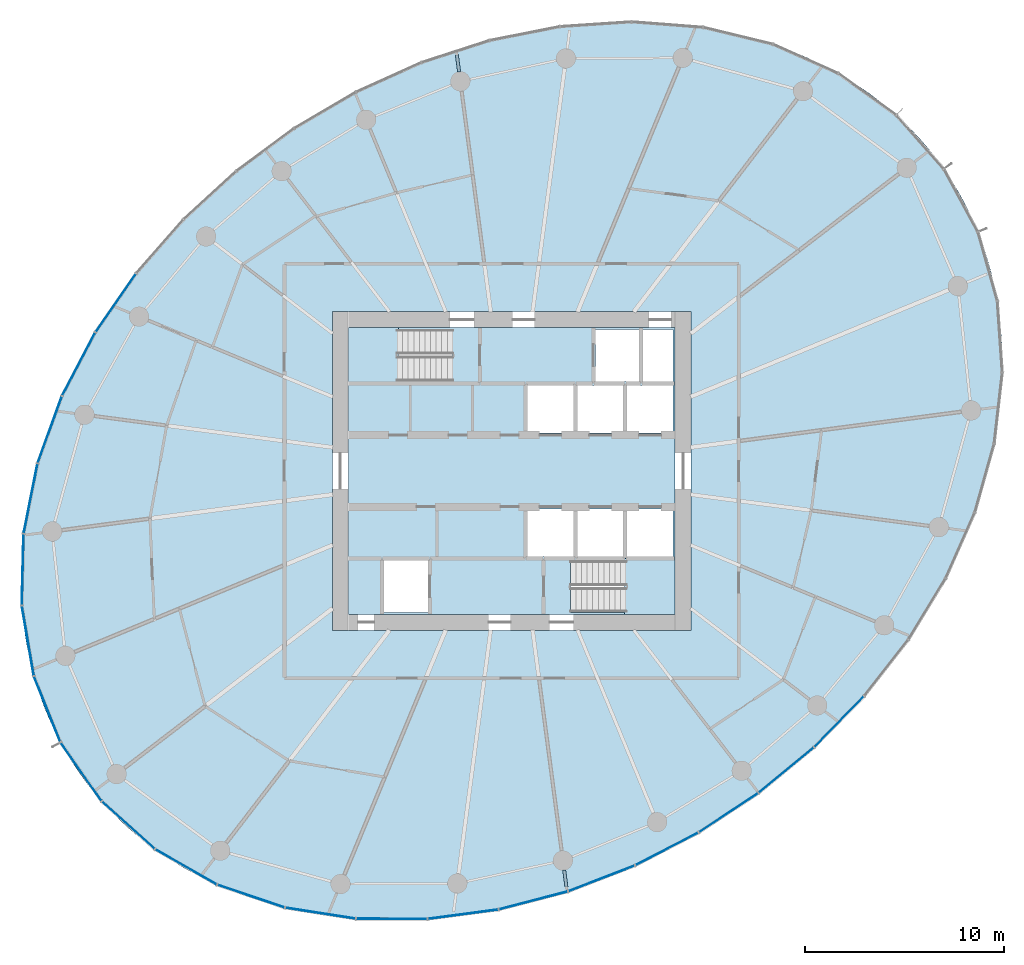
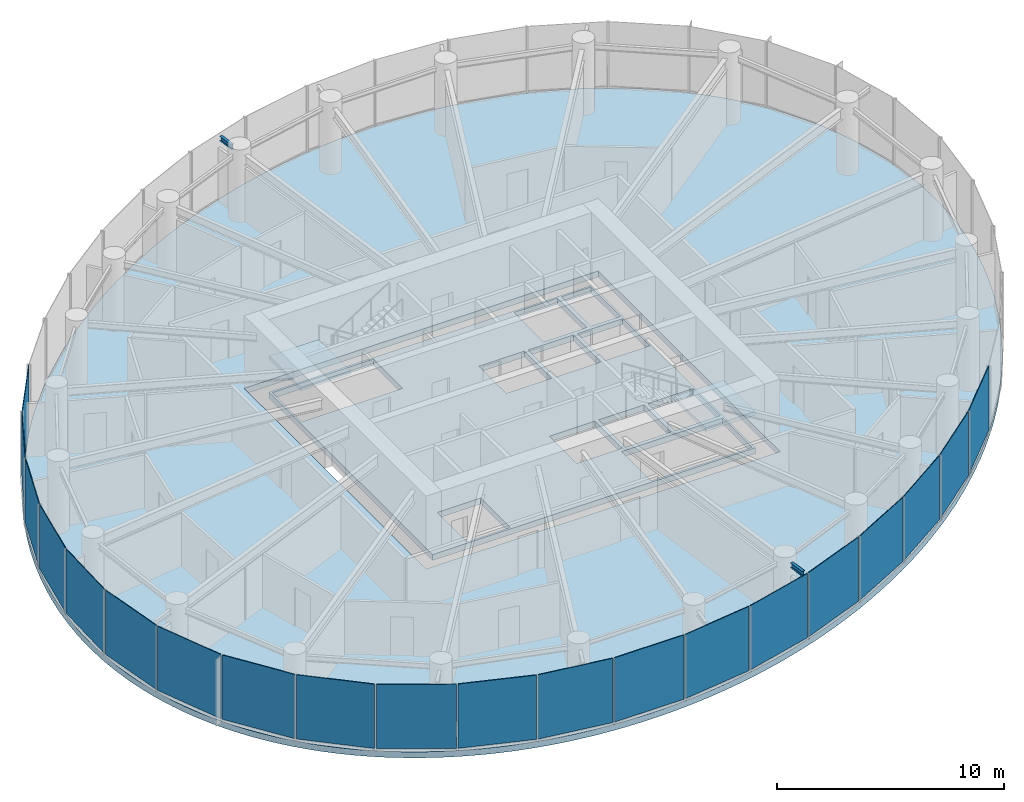
# One storey, part 7 of 15: 20 plates, 4 slabs, 2 beams, 6 elements without a shape of their own.
"""IFC4 building model written with IfcOpenShell, lengths in metres."""

from ifc_helpers import new_model, si_unit, direction, frame, origin, origin_2d, place, context, subcontext, project, spatial, line, indexed_curve, rectangle, i_section, outline, extrude, source, transform, mapped, material, layer, layer_set, material_profile, profile_set, type_object, element, aggregate, save


model = new_model("IFC4")

# Units and contexts
model_context = context("Model", 3, precision=1e-05, world=origin(), true_north=direction((0.0, 1.0)))
body_context = subcontext(model_context, "Body", "Model", "MODEL_VIEW")
ifc_project = project(units=[si_unit("LENGTHUNIT", "METRE"), si_unit("AREAUNIT", "SQUARE_METRE"), si_unit("VOLUMEUNIT", "CUBIC_METRE"), si_unit("PLANEANGLEUNIT", "RADIAN"), si_unit("MASSUNIT", "GRAM", prefix="KILO")], contexts=[model_context])

# Site, building, storey
site_placement = place(None, origin())
site = spatial("IfcSite", under=ifc_project, at=site_placement, CompositionType="ELEMENT")
building_placement = place(site_placement, origin())
building = spatial("IfcBuilding", under=site, at=building_placement, Name="Spindrift Exchange Tower", CompositionType="ELEMENT")
storey_placement = place(building_placement, frame((0.0, 0.0, 172.10009765625)))
storey = spatial("IfcBuildingStorey", under=building, at=storey_placement, Name="L41", CompositionType="ELEMENT", Elevation=172.10009765625)

# Beams
ifc_material_1 = material(Name="Steel Grade 300", Category="steel")
ifc_material_profile = material_profile(ifc_material_1, i_section(OverallWidth=0.14599609375, OverallDepth=0.251953125, WebThickness=0.006103515625, FlangeThickness=0.008544921875, FilletRadius=0.011962890625, at=origin_2d()), Name="250UB31.4")
ifc_profile_set = profile_set([ifc_material_profile], Name="Steel Grade 300")
beam_type = type_object("IfcBeamType", Name="Cantilever Beam 250UB31.4 Steel Grade 300", PredefinedType="BEAM", material=ifc_profile_set)
shared_shape_1 = source(origin(), body_context, "Body", "SweptSolid", [
    extrude(i_section(OverallWidth=0.14599609375, OverallDepth=0.251953125, WebThickness=0.006103515625, FlangeThickness=0.008544921875, FilletRadius=0.011962890625, at=origin_2d()), origin(), (0.0, 0.0, 1.0), 0.859619140625),
])
for number, where, z_axis, x_axis, name in (
    (1, (49.36328125, 68.027099609375, 3.453857421875), (-0.130359005339, 0.991466857604, 0.0), (-0.991466857604, -0.130359005339, 0.0), "L41 cantilever beam R07T"),
    (2, (54.63671875, 27.972900390625, 3.453857421875), (0.130359005339, -0.991466857604, 0.0), (0.991466857604, 0.130359005339, 0.0), "L41 cantilever beam R19T"),
):
    element("IfcBeam", number, at=place(storey_placement, frame(where, z_axis=z_axis, x_axis=x_axis)), inside=storey, type_object=beam_type, Name=name, PredefinedType="BEAM", context=body_context, shape_type="MappedRepresentation", body=[
        mapped(shared_shape_1, transform((0.0, 0.0, 0.0), scale=1.0)),
    ])

# Slabs
ifc_material_2 = material(Name="Concrete 40 MPa", Category="concrete")
ifc_layer_1 = layer(ifc_material_2, 0.320068359375)
ifc_layer_set_1 = layer_set([ifc_layer_1], Name="RC Floor Slab 320 Concrete 40 MPa")
slab_type_1 = type_object("IfcSlabType", Name="RC Floor Slab 320 Concrete 40 MPa", PredefinedType="FLOOR", material=ifc_layer_set_1)
slab_1_placement = place(storey_placement, frame((0.0, 0.0, -0.320068359375)))
element("IfcSlab", 3, at=slab_1_placement, inside=storey, type_object=slab_type_1, Name="Floor slab L41", PredefinedType="FLOOR", context=body_context, shape_type="SweptSolid", body=[
    extrude(outline(indexed_curve([(73.689697265625, 63.158203125), (73.4501953125, 63.491455078125), (73.2021484375, 63.818359375), (72.945556640625, 64.138427734375), (72.680908203125, 64.451904296875), (72.407958984375, 64.75830078125), (72.127197265625, 65.0576171875), (71.8388671875, 65.349365234375), (71.543212890625, 65.6337890625), (71.240234375, 65.910400390625), (70.930419921875, 66.179443359375), (70.614013671875, 66.4404296875), (70.291015625, 66.693603515625), (69.9619140625, 66.938720703125), (69.627197265625, 67.175537109375), (69.286376953125, 67.404296875), (68.58935546875, 67.8369140625), (68.2333984375, 68.041015625), (67.507568359375, 68.423583984375), (66.765380859375, 68.7734375), (66.388427734375, 68.935791015625), (65.624755859375, 69.23583984375), (64.84912109375, 69.50341796875), (64.45751953125, 69.625244140625), (63.666748046875, 69.844970703125), (62.8681640625, 70.033203125), (62.46630859375, 70.11572265625), (61.658203125, 70.25830078125), (60.845458984375, 70.37109375), (60.437744140625, 70.41650390625), (60.029296875, 70.454833984375), (59.210693359375, 70.510498046875), (58.390380859375, 70.5380859375), (57.980224609375, 70.5419921875), (57.159912109375, 70.529541015625), (56.749755859375, 70.513671875), (56.340087890625, 70.4912109375), (55.52197265625, 70.427734375), (54.706298828125, 70.339599609375), (54.29931640625, 70.286376953125), (53.893310546875, 70.227294921875), (53.083984375, 70.091796875), (52.279052734375, 69.933349609375), (51.878173828125, 69.845703125), (51.080322265625, 69.654052734375), (50.683349609375, 69.55029296875), (50.287841796875, 69.44091796875), (49.50146484375, 69.206787109375), (49.110595703125, 69.082275390625), (48.333740234375, 68.817626953125), (47.564208984375, 68.533203125), (47.18212890625, 68.3837890625), (46.802001953125, 68.2294921875), (46.047607421875, 67.906494140625), (45.67333984375, 67.73828125), (44.931396484375, 67.3876953125), (43.835205078125, 66.828125), (42.760009765625, 66.229248046875), (41.706787109375, 65.592041015625), (41.017822265625, 65.146240234375), (40.33984375, 64.684326171875), (39.34375, 63.961181640625), (38.6943359375, 63.459716796875), (38.05712890625, 62.942626953125), (37.125, 62.138916015625), (36.222900390625, 61.301513671875), (35.35205078125, 60.431884765625), (34.78955078125, 59.834228515625), (34.51416015625, 59.5302734375), (33.974609375, 58.912109375), (33.710693359375, 58.597900390625), (33.450927734375, 58.2802734375), (32.94384765625, 57.63525390625), (32.696533203125, 57.307861328125), (32.215087890625, 56.643310546875), (31.751708984375, 55.966064453125), (31.527099609375, 55.622802734375), (31.091796875, 54.92724609375), (30.881591796875, 54.574951171875), (30.67626953125, 54.2197265625), (30.281005859375, 53.50048828125), (30.09130859375, 53.13671875), (29.72802734375, 52.40087890625), (29.38720703125, 51.654541015625), (29.225341796875, 51.277587890625), (28.919677734375, 50.51611328125), (28.77587890625, 50.1318359375), (28.50732421875, 49.3564453125), (28.3828125, 48.965576171875), (28.1533203125, 48.177734375), (28.049072265625, 47.781005859375), (27.951416015625, 47.38232421875), (27.778076171875, 46.580322265625), (27.63427734375, 45.772705078125), (27.57373046875, 45.36669921875), (27.47607421875, 44.552001953125), (27.410400390625, 43.734130859375), (27.39013671875, 43.324462890625), (27.375, 42.50390625), (27.394287109375, 41.683837890625), (27.417236328125, 41.274169921875), (27.490478515625, 40.456787109375), (27.6005859375, 39.643798828125), (27.669677734375, 39.239501953125), (27.83642578125, 38.43603515625), (27.93408203125, 38.03759765625), (28.158447265625, 37.248291015625), (28.28515625, 36.858154296875), (28.421630859375, 36.47119140625), (28.567626953125, 36.087646484375), (28.723388671875, 35.708251953125), (28.888916015625, 35.332763671875), (29.06396484375, 34.961669921875), (29.248291015625, 34.59521484375), (29.4423828125, 34.233642578125), (29.645751953125, 33.877197265625), (29.858154296875, 33.5263671875), (30.079833984375, 33.18115234375), (30.310302734375, 32.841796875), (30.5498046875, 32.508544921875), (30.7978515625, 32.181640625), (31.054443359375, 31.861572265625), (31.319091796875, 31.548095703125), (31.592041015625, 31.24169921875), (31.872802734375, 30.9423828125), (32.1611328125, 30.650634765625), (32.456787109375, 30.3662109375), (32.759765625, 30.089599609375), (33.069580078125, 29.820556640625), (33.385986328125, 29.5595703125), (33.708984375, 29.306396484375), (34.0380859375, 29.061279296875), (34.372802734375, 28.824462890625), (34.713623046875, 28.595703125), (35.41064453125, 28.1630859375), (35.7666015625, 27.958984375), (36.492431640625, 27.576416015625), (37.234619140625, 27.2265625), (37.611572265625, 27.064208984375), (38.375244140625, 26.76416015625), (39.15087890625, 26.49658203125), (39.54248046875, 26.374755859375), (40.333251953125, 26.155029296875), (41.1318359375, 25.966796875), (41.53369140625, 25.88427734375), (42.341796875, 25.74169921875), (43.154541015625, 25.62890625), (43.562255859375, 25.58349609375), (43.970703125, 25.545166015625), (44.789306640625, 25.489501953125), (45.609619140625, 25.4619140625), (46.019775390625, 25.4580078125), (46.840087890625, 25.470458984375), (47.250244140625, 25.486328125), (47.659912109375, 25.5087890625), (48.47802734375, 25.572265625), (49.293701171875, 25.660400390625), (49.70068359375, 25.713623046875), (50.106689453125, 25.772705078125), (50.916015625, 25.908203125), (51.720947265625, 26.066650390625), (52.121826171875, 26.154296875), (52.919677734375, 26.345947265625), (53.316650390625, 26.44970703125), (53.712158203125, 26.55908203125), (54.49853515625, 26.793212890625), (54.889404296875, 26.917724609375), (55.666259765625, 27.182373046875), (56.435791015625, 27.466796875), (56.81787109375, 27.6162109375), (57.197998046875, 27.7705078125), (57.952392578125, 28.093505859375), (58.32666015625, 28.26171875), (59.068603515625, 28.6123046875), (60.164794921875, 29.171875), (61.239990234375, 29.770751953125), (62.293212890625, 30.407958984375), (62.982177734375, 30.853759765625), (63.66015625, 31.315673828125), (64.65625, 32.038818359375), (65.3056640625, 32.540283203125), (65.94287109375, 33.057373046875), (66.875, 33.861083984375), (67.777099609375, 34.698486328125), (68.64794921875, 35.568115234375), (69.21044921875, 36.165771484375), (69.48583984375, 36.4697265625), (70.025390625, 37.087890625), (70.289306640625, 37.402099609375), (70.549072265625, 37.7197265625), (71.05615234375, 38.36474609375), (71.303466796875, 38.692138671875), (71.784912109375, 39.356689453125), (72.248291015625, 40.033935546875), (72.472900390625, 40.377197265625), (72.908203125, 41.07275390625), (73.118408203125, 41.425048828125), (73.32373046875, 41.7802734375), (73.718994140625, 42.49951171875), (73.90869140625, 42.86328125), (74.27197265625, 43.59912109375), (74.61279296875, 44.345458984375), (74.774658203125, 44.722412109375), (75.080322265625, 45.48388671875), (75.22412109375, 45.8681640625), (75.49267578125, 46.6435546875), (75.6171875, 47.034423828125), (75.8466796875, 47.822265625), (75.950927734375, 48.218994140625), (76.048583984375, 48.61767578125), (76.221923828125, 49.419677734375), (76.36572265625, 50.227294921875), (76.42626953125, 50.63330078125), (76.52392578125, 51.447998046875), (76.589599609375, 52.265869140625), (76.60986328125, 52.675537109375), (76.625, 53.49609375), (76.605712890625, 54.316162109375), (76.582763671875, 54.725830078125), (76.509521484375, 55.543212890625), (76.3994140625, 56.356201171875), (76.330322265625, 56.760498046875), (76.16357421875, 57.56396484375), (76.06591796875, 57.96240234375), (75.841552734375, 58.751708984375), (75.71484375, 59.141845703125), (75.578369140625, 59.52880859375), (75.432373046875, 59.912353515625), (75.276611328125, 60.291748046875), (75.111083984375, 60.667236328125), (74.93603515625, 61.038330078125), (74.751708984375, 61.40478515625), (74.5576171875, 61.766357421875), (74.354248046875, 62.122802734375), (74.141845703125, 62.4736328125), (73.920166015625, 62.81884765625)], segments=[line(1, 2, 3, 4, 5, 6, 7, 8, 9, 10, 11, 12, 13, 14, 15, 16, 17, 18, 19, 20, 21, 22, 23, 24, 25, 26, 27, 28, 29, 30, 31, 32, 33, 34, 35, 36, 37, 38, 39, 40, 41, 42, 43, 44, 45, 46, 47, 48, 49, 50, 51, 52, 53, 54, 55, 56, 57, 58, 59, 60, 61, 62, 63, 64, 65, 66, 67, 68, 69, 70, 71, 72, 73, 74, 75, 76, 77, 78, 79, 80, 81, 82, 83, 84, 85, 86, 87, 88, 89, 90, 91, 92, 93, 94, 95, 96, 97, 98, 99, 100, 101, 102, 103, 104, 105, 106, 107, 108, 109, 110, 111, 112, 113, 114, 115, 116, 117, 118, 119, 120, 121, 122, 123, 124, 125, 126, 127, 128, 129, 130, 131, 132, 133, 134, 135, 136, 137, 138, 139, 140, 141, 142, 143, 144, 145, 146, 147, 148, 149, 150, 151, 152, 153, 154, 155, 156, 157, 158, 159, 160, 161, 162, 163, 164, 165, 166, 167, 168, 169, 170, 171, 172, 173, 174, 175, 176, 177, 178, 179, 180, 181, 182, 183, 184, 185, 186, 187, 188, 189, 190, 191, 192, 193, 194, 195, 196, 197, 198, 199, 200, 201, 202, 203, 204, 205, 206, 207, 208, 209, 210, 211, 212, 213, 214, 215, 216, 217, 218, 219, 220, 221, 222, 223, 224, 225, 226, 227, 228, 229, 230, 231, 232, 233, 234, 235, 236, 1)], self_intersect=False), holes=[indexed_curve([(43.0, 40.0), (61.0, 40.0), (61.0, 56.0), (43.0, 56.0)], segments=[line(1, 2, 3, 4, 1)], self_intersect=False)]), origin(), (0.0, 0.0, 1.0), 0.320068359375),
])
ifc_material_3 = material(Name="Concrete 50 MPa", Category="concrete")
ifc_layer_2 = layer(ifc_material_3, 0.320068359375)
ifc_layer_set_2 = layer_set([ifc_layer_2], Name="SL-CORE-FLOOR-320")
slab_type_2 = type_object("IfcSlabType", Name="SL-CORE-FLOOR-320", PredefinedType="FLOOR", material=ifc_layer_set_2)
slab_2_placement = place(storey_placement, frame((0.0, 0.0, -0.320068359375)))
element("IfcSlab", 4, at=slab_2_placement, inside=storey, type_object=slab_type_2, Name="L41 Core floor slab", PredefinedType="FLOOR", context=body_context, shape_type="SweptSolid", body=[
    extrude(outline(indexed_curve([(43.800048828125, 40.800048828125), (43.800048828125, 55.199951171875), (60.199951171875, 55.199951171875), (60.199951171875, 40.800048828125)], segments=[line(1, 2, 3, 4, 1)], self_intersect=False), holes=[indexed_curve([(45.60009765625, 43.5), (45.60009765625, 40.89990234375), (47.800048828125, 40.89990234375), (47.800048828125, 43.5)], segments=[line(1, 2, 3, 4, 1)], self_intersect=False), indexed_curve([(52.800048828125, 46.10009765625), (52.800048828125, 43.699951171875), (55.10009765625, 43.699951171875), (55.10009765625, 46.10009765625)], segments=[line(1, 2, 3, 4, 1)], self_intersect=False), indexed_curve([(55.300048828125, 46.10009765625), (55.300048828125, 43.699951171875), (57.60009765625, 43.699951171875), (57.60009765625, 46.10009765625)], segments=[line(1, 2, 3, 4, 1)], self_intersect=False), indexed_curve([(55.10009765625, 52.300048828125), (52.800048828125, 52.300048828125), (52.800048828125, 49.89990234375), (55.10009765625, 49.89990234375)], segments=[line(1, 2, 3, 4, 1)], self_intersect=False), indexed_curve([(57.60009765625, 52.300048828125), (55.300048828125, 52.300048828125), (55.300048828125, 49.89990234375), (57.60009765625, 49.89990234375)], segments=[line(1, 2, 3, 4, 1)], self_intersect=False), indexed_curve([(43.906005859375, 52.506103515625), (49.0439453125, 52.506103515625), (49.0439453125, 55.093994140625), (43.906005859375, 55.093994140625)], segments=[line(1, 2, 3, 4, 1)], self_intersect=False), indexed_curve([(60.093994140625, 40.906005859375), (60.093994140625, 43.493896484375), (54.9560546875, 43.493896484375), (54.9560546875, 40.906005859375)], segments=[line(1, 2, 3, 4, 1)], self_intersect=False), indexed_curve([(60.10009765625, 46.10009765625), (57.800048828125, 46.10009765625), (57.800048828125, 43.699951171875), (60.10009765625, 43.699951171875)], segments=[line(1, 2, 3, 4, 1)], self_intersect=False), indexed_curve([(57.800048828125, 52.300048828125), (57.800048828125, 49.89990234375), (60.10009765625, 49.89990234375), (60.10009765625, 52.300048828125)], segments=[line(1, 2, 3, 4, 1)], self_intersect=False), indexed_curve([(58.39990234375, 55.10009765625), (56.199951171875, 55.10009765625), (56.199951171875, 52.5), (58.39990234375, 52.5)], segments=[line(1, 2, 3, 4, 1)], self_intersect=False), indexed_curve([(60.10009765625, 55.10009765625), (58.60009765625, 55.10009765625), (58.60009765625, 52.5), (60.10009765625, 52.5)], segments=[line(1, 2, 3, 4, 1)], self_intersect=False)]), origin(), (0.0, 0.0, 1.0), 0.320068359375),
])

# Stair, slab
stair_type = type_object("IfcStairType", Name="ST-1250-R177", PredefinedType="HALF_TURN_STAIR", material=ifc_material_3)
stair_1_placement = place(storey_placement, origin())
stair_1 = element("IfcStair", 5, at=stair_1_placement, inside=storey, type_object=stair_type, Name="L41 Exit stair ST1", PredefinedType="HALF_TURN_STAIR")
ifc_layer_3 = layer(ifc_material_3, 0.199951171875)
ifc_layer_set_3 = layer_set([ifc_layer_3], Name="SL-LANDING")
slab_type_3 = type_object("IfcSlabType", Name="SL-LANDING", PredefinedType="LANDING", material=ifc_layer_set_3)
slab_3_placement = place(storey_placement, frame((0.0, 0.0, 1.75)))
slab_3 = element("IfcSlab", 6, at=slab_3_placement, type_object=slab_type_3, Name="ST1 landing 1", PredefinedType="LANDING", context=body_context, shape_type="SweptSolid", body=[
    extrude(outline(indexed_curve([(46.330078125, 52.39990234375), (43.800048828125, 52.39990234375), (43.800048828125, 55.199951171875), (46.330078125, 55.199951171875)], segments=[line(1, 2, 3, 4, 1)], self_intersect=False)), origin(), (0.0, 0.0, 1.0), 0.199951171875),
])
aggregate(stair_1, [slab_3])

stair_2_placement = place(storey_placement, origin())
stair_2 = element("IfcStair", 7, at=stair_2_placement, inside=storey, type_object=stair_type, Name="L41 Exit stair ST2", PredefinedType="HALF_TURN_STAIR")
slab_4_placement = place(storey_placement, frame((0.0, 0.0, 1.75)))
slab_4 = element("IfcSlab", 8, at=slab_4_placement, type_object=slab_type_3, Name="ST2 landing 1", PredefinedType="LANDING", context=body_context, shape_type="SweptSolid", body=[
    extrude(outline(indexed_curve([(57.669921875, 43.60009765625), (60.199951171875, 43.60009765625), (60.199951171875, 40.800048828125), (57.669921875, 40.800048828125)], segments=[line(1, 2, 3, 4, 1)], self_intersect=False)), origin(), (0.0, 0.0, 1.0), 0.199951171875),
])
aggregate(stair_2, [slab_4])

# Curtain wall, plate
ifc_material_4 = material(Name="Fritted laminated glass with bronze frame", Category="glass")
ifc_layer_4 = layer(ifc_material_4, 0.179931640625)
ifc_layer_set_4 = layer_set([ifc_layer_4], Name="ZONE 3 BRONZE FRITTED WALL")
curtain_wall_type = type_object("IfcCurtainWallType", Name="ZONE 3 BRONZE FRITTED WALL", PredefinedType="NOTDEFINED", material=ifc_layer_set_4)
curtain_wall_1_placement = place(storey_placement, origin())
curtain_wall_1 = element("IfcCurtainWall", 9, at=curtain_wall_1_placement, inside=storey, type_object=curtain_wall_type, Name="L41 Zone 3 Bronze Fritted Wall run 3", PredefinedType="NOTDEFINED")
ifc_material_5 = material(Name="Bronze fritted laminated glass, open frit", Category="glass")
ifc_layer_5 = layer(ifc_material_5, 0.031982421875)
ifc_layer_set_5 = layer_set([ifc_layer_5], Name="ZONE 3 BRONZE FRITTED WALL PANEL OPEN FRIT 360")
plate_type_1 = type_object("IfcPlateType", Name="ZONE 3 BRONZE FRITTED WALL PANEL OPEN FRIT 360", PredefinedType="CURTAIN_PANEL", material=ifc_layer_set_5)
shared_shape_2 = source(origin(), body_context, "Body", "SweptSolid", [
    extrude(rectangle(XDim=3.530517578125, YDim=0.031982421875, at=origin_2d()), origin(), (0.0, 0.0, 1.0), 3.449951171875),
])
plate_1_placement = place(storey_placement, frame((32.1328125, 56.4326171875, 0.1298828125), z_axis=(0.0, 0.0, 1.0), x_axis=(-0.569595162107, -0.821925392785, 0.0)))
plate_1 = element("IfcPlate", 10, at=plate_1_placement, type_object=plate_type_1, Name="L41 panel CW-3.14", PredefinedType="CURTAIN_PANEL", context=body_context, shape_type="MappedRepresentation", body=[
    mapped(shared_shape_2, transform((0.0, 0.0, 0.0), scale=1.0)),
])

curtain_wall_2_placement = place(storey_placement, origin())
curtain_wall_2 = element("IfcCurtainWall", 11, at=curtain_wall_2_placement, inside=storey, type_object=curtain_wall_type, Name="L41 Zone 3 Bronze Fritted Wall run 5", PredefinedType="NOTDEFINED")
plate_2_placement = place(storey_placement, frame((53.090576171875, 26.44482421875, 0.1298828125), z_axis=(0.0, 0.0, 1.0), x_axis=(0.96762684941, 0.252385182412, 0.0)))
plate_2 = element("IfcPlate", 12, at=plate_2_placement, type_object=plate_type_1, Name="L41 panel CW-3.28", PredefinedType="CURTAIN_PANEL", context=body_context, shape_type="MappedRepresentation", body=[
    mapped(shared_shape_2, transform((0.0, 0.0, 0.0), scale=1.0)),
])

# Curtain wall, plates
curtain_wall_3_placement = place(storey_placement, origin())
curtain_wall_3 = element("IfcCurtainWall", 13, at=curtain_wall_3_placement, inside=storey, type_object=curtain_wall_type, Name="L41 Zone 3 Bronze Fritted Wall run 6", PredefinedType="NOTDEFINED")
ifc_layer_6 = layer(ifc_material_5, 0.031982421875)
ifc_layer_set_6 = layer_set([ifc_layer_6], Name="ZONE 3 BRONZE FRITTED WALL PANEL OPEN FRIT 600")
plate_type_2 = type_object("IfcPlateType", Name="ZONE 3 BRONZE FRITTED WALL PANEL OPEN FRIT 600", PredefinedType="CURTAIN_PANEL", material=ifc_layer_set_6)
shared_shape_3 = source(origin(), body_context, "Body", "SweptSolid", [
    extrude(rectangle(XDim=3.531005859375, YDim=0.031982421875, at=origin_2d()), origin(), (0.0, 0.0, 1.0), 3.449951171875),
])
plate_3_placement = place(storey_placement, frame((62.889404296875, 30.848876953125, 0.1298828125), z_axis=(0.0, 0.0, 1.0), x_axis=(0.834409487726, 0.55114499616, 0.0)))
plate_3 = element("IfcPlate", 14, at=plate_3_placement, type_object=plate_type_2, Name="L41 panel CW-3.31", PredefinedType="CURTAIN_PANEL", context=body_context, shape_type="MappedRepresentation", body=[
    mapped(shared_shape_3, transform((0.0, 0.0, 0.0), scale=1.0)),
])
shared_shape_4 = source(origin(), body_context, "Body", "SweptSolid", [
    extrude(rectangle(XDim=3.531005859375, YDim=0.031982421875, at=origin_2d()), origin(), (0.0, 0.0, 1.0), 3.449951171875),
])
plate_4_placement = place(storey_placement, frame((65.781494140625, 32.985595703125, 0.1298828125), z_axis=(0.0, 0.0, 1.0), x_axis=(0.77202741873, 0.635589226411, 0.0)))
plate_4 = element("IfcPlate", 15, at=plate_4_placement, type_object=plate_type_1, Name="L41 panel CW-3.32", PredefinedType="CURTAIN_PANEL", context=body_context, shape_type="MappedRepresentation", body=[
    mapped(shared_shape_4, transform((0.0, 0.0, 0.0), scale=1.0)),
])

# Plate
shared_shape_5 = source(origin(), body_context, "Body", "SweptSolid", [
    extrude(rectangle(XDim=3.530517578125, YDim=0.031982421875, at=origin_2d()), origin(), (0.0, 0.0, 1.0), 3.449951171875),
])
plate_5_placement = place(storey_placement, frame((56.51123046875, 27.54931640625, 0.1298828125), z_axis=(0.0, 0.0, 1.0), x_axis=(0.932504195084, 0.361159142417, 0.0)))
plate_5 = element("IfcPlate", 16, at=plate_5_placement, type_object=plate_type_2, Name="L41 panel CW-3.29", PredefinedType="CURTAIN_PANEL", context=body_context, shape_type="MappedRepresentation", body=[
    mapped(shared_shape_5, transform((0.0, 0.0, 0.0), scale=1.0)),
])

shared_shape_6 = source(origin(), body_context, "Body", "SweptSolid", [
    extrude(rectangle(XDim=3.530029296875, YDim=0.031982421875, at=origin_2d()), origin(), (0.0, 0.0, 1.0), 3.449951171875),
])
plate_6_placement = place(storey_placement, frame((49.564208984375, 25.75341796875, 0.1298828125), z_axis=(0.0, 0.0, 1.0), x_axis=(0.99129476744, 0.131661247323, 0.0)))
plate_6 = element("IfcPlate", 17, at=plate_6_placement, type_object=plate_type_1, Name="L41 panel CW-3.27", PredefinedType="CURTAIN_PANEL", context=body_context, shape_type="MappedRepresentation", body=[
    mapped(shared_shape_6, transform((0.0, 0.0, 0.0), scale=1.0)),
])

ifc_layer_7 = layer(ifc_material_5, 0.031982421875)
ifc_layer_set_7 = layer_set([ifc_layer_7], Name="ZONE 3 BRONZE FRITTED WALL PANEL OPEN FRIT 480")
plate_type_3 = type_object("IfcPlateType", Name="ZONE 3 BRONZE FRITTED WALL PANEL OPEN FRIT 480", PredefinedType="CURTAIN_PANEL", material=ifc_layer_set_7)
shared_shape_7 = source(origin(), body_context, "Body", "SweptSolid", [
    extrude(rectangle(XDim=3.529541015625, YDim=0.031982421875, at=origin_2d()), origin(), (0.0, 0.0, 1.0), 3.449951171875),
])
plate_7_placement = place(storey_placement, frame((28.822509765625, 50.072509765625, 0.1298828125), z_axis=(0.0, 0.0, 1.0), x_axis=(-0.34065852433, -0.940187092977, 0.0)))
plate_7 = element("IfcPlate", 18, at=plate_7_placement, type_object=plate_type_3, Name="L41 panel CW-3.16", PredefinedType="CURTAIN_PANEL", context=body_context, shape_type="MappedRepresentation", body=[
    mapped(shared_shape_7, transform((0.0, 0.0, 0.0), scale=1.0)),
])

shared_shape_8 = source(origin(), body_context, "Body", "SweptSolid", [
    extrude(rectangle(XDim=3.527587890625, YDim=0.031982421875, at=origin_2d()), origin(), (0.0, 0.0, 1.0), 3.449951171875),
])
plate_8_placement = place(storey_placement, frame((27.46337890625, 43.052490234375, 0.1298828125), z_axis=(0.0, 0.0, 1.0), x_axis=(-0.024850929978, -0.999691167951, 0.0)))
plate_8 = element("IfcPlate", 19, at=plate_8_placement, type_object=plate_type_1, Name="L41 panel CW-3.18", PredefinedType="CURTAIN_PANEL", context=body_context, shape_type="MappedRepresentation", body=[
    mapped(shared_shape_8, transform((0.0, 0.0, 0.0), scale=1.0)),
])

# Curtain wall, plates
curtain_wall_4_placement = place(storey_placement, origin())
curtain_wall_4 = element("IfcCurtainWall", 20, at=curtain_wall_4_placement, inside=storey, type_object=curtain_wall_type, Name="L41 Zone 3 Bronze Fritted Wall run 4", PredefinedType="NOTDEFINED")
shared_shape_9 = source(origin(), body_context, "Body", "SweptSolid", [
    extrude(rectangle(XDim=3.5263671875, YDim=0.031982421875, at=origin_2d()), origin(), (0.0, 0.0, 1.0), 3.449951171875),
])
plate_9_placement = place(storey_placement, frame((27.720703125, 39.4814453125, 0.1298828125), z_axis=(0.0, 0.0, 1.0), x_axis=(0.167892377849, -0.985805330408, 0.0)))
plate_9 = element("IfcPlate", 21, at=plate_9_placement, type_object=plate_type_2, Name="L41 panel CW-3.19", PredefinedType="CURTAIN_PANEL", context=body_context, shape_type="MappedRepresentation", body=[
    mapped(shared_shape_9, transform((0.0, 0.0, 0.0), scale=1.0)),
])
plate_10_placement = place(storey_placement, frame((35.655517578125, 28.12744140625, 0.1298828125), z_axis=(0.0, 0.0, 1.0), x_axis=(0.868049812848, -0.496477111672, 0.0)))
plate_10 = element("IfcPlate", 22, at=plate_10_placement, type_object=plate_type_2, Name="L41 panel CW-3.23", PredefinedType="CURTAIN_PANEL", context=body_context, shape_type="MappedRepresentation", body=[
    mapped(shared_shape_9, transform((0.0, 0.0, 0.0), scale=1.0)),
])
shared_shape_10 = source(origin(), body_context, "Body", "SweptSolid", [
    extrude(rectangle(XDim=3.527587890625, YDim=0.031982421875, at=origin_2d()), origin(), (0.0, 0.0, 1.0), 3.449951171875),
])
plate_11_placement = place(storey_placement, frame((38.92041015625, 26.65869140625, 0.1298828125), z_axis=(0.0, 0.0, 1.0), x_axis=(0.947323812064, -0.320277372127, 0.0)))
plate_11 = element("IfcPlate", 23, at=plate_11_placement, type_object=plate_type_2, Name="L41 panel CW-3.24", PredefinedType="CURTAIN_PANEL", context=body_context, shape_type="MappedRepresentation", body=[
    mapped(shared_shape_10, transform((0.0, 0.0, 0.0), scale=1.0)),
])

# Plate
shared_shape_11 = source(origin(), body_context, "Body", "SweptSolid", [
    extrude(rectangle(XDim=3.530029296875, YDim=0.031982421875, at=origin_2d()), origin(), (0.0, 0.0, 1.0), 3.449951171875),
])
plate_12_placement = place(storey_placement, frame((30.271484375, 53.358642578125, 0.1298828125), z_axis=(0.0, 0.0, 1.0), x_axis=(-0.464352113428, -0.885650673096, 0.0)))
plate_12 = element("IfcPlate", 24, at=plate_12_placement, type_object=plate_type_2, Name="L41 panel CW-3.15", PredefinedType="CURTAIN_PANEL", context=body_context, shape_type="MappedRepresentation", body=[
    mapped(shared_shape_11, transform((0.0, 0.0, 0.0), scale=1.0)),
])

shared_shape_12 = source(origin(), body_context, "Body", "SweptSolid", [
    extrude(rectangle(XDim=3.531005859375, YDim=0.031982421875, at=origin_2d()), origin(), (0.0, 0.0, 1.0), 3.449951171875),
])
plate_13_placement = place(storey_placement, frame((59.78857421875, 29.028076171875, 0.1298828125), z_axis=(0.0, 0.0, 1.0), x_axis=(0.887834661161, 0.460162595656, 0.0)))
plate_13 = element("IfcPlate", 25, at=plate_13_placement, type_object=plate_type_3, Name="L41 panel CW-3.30", PredefinedType="CURTAIN_PANEL", context=body_context, shape_type="MappedRepresentation", body=[
    mapped(shared_shape_12, transform((0.0, 0.0, 0.0), scale=1.0)),
])

shared_shape_13 = source(origin(), body_context, "Body", "SweptSolid", [
    extrude(rectangle(XDim=3.53076171875, YDim=0.031982421875, at=origin_2d()), origin(), (0.0, 0.0, 1.0), 3.449951171875),
])
plate_14_placement = place(storey_placement, frame((68.431640625, 35.415771484375, 0.1298828125), z_axis=(0.0, 0.0, 1.0), x_axis=(0.699877791276, 0.714262610865, 0.0)))
plate_14 = element("IfcPlate", 26, at=plate_14_placement, type_object=plate_type_3, Name="L41 panel CW-3.33", PredefinedType="CURTAIN_PANEL", context=body_context, shape_type="MappedRepresentation", body=[
    mapped(shared_shape_13, transform((0.0, 0.0, 0.0), scale=1.0)),
])

aggregate(curtain_wall_3, [plate_3, plate_4, plate_14])

shared_shape_14 = source(origin(), body_context, "Body", "SweptSolid", [
    extrude(rectangle(XDim=3.525146484375, YDim=0.031982421875, at=origin_2d()), origin(), (0.0, 0.0, 1.0), 3.449951171875),
])
plate_15_placement = place(storey_placement, frame((32.759765625, 30.22412109375, 0.1298828125), z_axis=(0.0, 0.0, 1.0), x_axis=(0.742685684381, -0.669640182647, 0.0)))
plate_15 = element("IfcPlate", 27, at=plate_15_placement, type_object=plate_type_3, Name="L41 panel CW-3.22", PredefinedType="CURTAIN_PANEL", context=body_context, shape_type="MappedRepresentation", body=[
    mapped(shared_shape_14, transform((0.0, 0.0, 0.0), scale=1.0)),
])

shared_shape_15 = source(origin(), body_context, "Body", "SweptSolid", [
    extrude(rectangle(XDim=3.525146484375, YDim=0.031982421875, at=origin_2d()), origin(), (0.0, 0.0, 1.0), 3.449951171875),
])
plate_16_placement = place(storey_placement, frame((28.694091796875, 36.04150390625, 0.1298828125), z_axis=(0.0, 0.0, 1.0), x_axis=(0.373590113187, -0.927593891382, 0.0)))
plate_16 = element("IfcPlate", 28, at=plate_16_placement, type_object=plate_type_1, Name="L41 panel CW-3.20", PredefinedType="CURTAIN_PANEL", context=body_context, shape_type="MappedRepresentation", body=[
    mapped(shared_shape_15, transform((0.0, 0.0, 0.0), scale=1.0)),
])

shared_shape_16 = source(origin(), body_context, "Body", "SweptSolid", [
    extrude(rectangle(XDim=3.524658203125, YDim=0.031982421875, at=origin_2d()), origin(), (0.0, 0.0, 1.0), 3.449951171875),
])
plate_17_placement = place(storey_placement, frame((30.395263671875, 32.90087890625, 0.1298828125), z_axis=(0.0, 0.0, 1.0), x_axis=(0.572831330818, -0.819673268097, 0.0)))
plate_17 = element("IfcPlate", 29, at=plate_17_placement, type_object=plate_type_3, Name="L41 panel CW-3.21", PredefinedType="CURTAIN_PANEL", context=body_context, shape_type="MappedRepresentation", body=[
    mapped(shared_shape_16, transform((0.0, 0.0, 0.0), scale=1.0)),
])

aggregate(curtain_wall_4, [plate_9, plate_16, plate_17, plate_15, plate_10, plate_11])

shared_shape_17 = source(origin(), body_context, "Body", "SweptSolid", [
    extrude(rectangle(XDim=3.529296875, YDim=0.031982421875, at=origin_2d()), origin(), (0.0, 0.0, 1.0), 3.449951171875),
])
plate_18_placement = place(storey_placement, frame((45.97998046875, 25.522216796875, 0.1298828125), z_axis=(0.0, 0.0, 1.0), x_axis=(0.999994719395, -0.003249797347, 0.0)))
plate_18 = element("IfcPlate", 30, at=plate_18_placement, type_object=plate_type_2, Name="L41 panel CW-3.26", PredefinedType="CURTAIN_PANEL", context=body_context, shape_type="MappedRepresentation", body=[
    mapped(shared_shape_17, transform((0.0, 0.0, 0.0), scale=1.0)),
])

shared_shape_18 = source(origin(), body_context, "Body", "SweptSolid", [
    extrude(rectangle(XDim=3.52880859375, YDim=0.031982421875, at=origin_2d()), origin(), (0.0, 0.0, 1.0), 3.449951171875),
])
plate_19_placement = place(storey_placement, frame((27.85888671875, 46.615478515625, 0.1298828125), z_axis=(0.0, 0.0, 1.0), x_axis=(-0.194903733024, -0.980822376811, 0.0)))
plate_19 = element("IfcPlate", 31, at=plate_19_placement, type_object=plate_type_3, Name="L41 panel CW-3.17", PredefinedType="CURTAIN_PANEL", context=body_context, shape_type="MappedRepresentation", body=[
    mapped(shared_shape_18, transform((0.0, 0.0, 0.0), scale=1.0)),
])

aggregate(curtain_wall_1, [plate_1, plate_12, plate_7, plate_19, plate_8])

plate_20_placement = place(storey_placement, frame((42.40234375, 25.805419921875, 0.1298828125), z_axis=(0.0, 0.0, 1.0), x_axis=(0.988062525165, -0.154053388031, 0.0)))
plate_20 = element("IfcPlate", 32, at=plate_20_placement, type_object=plate_type_3, Name="L41 panel CW-3.25", PredefinedType="CURTAIN_PANEL", context=body_context, shape_type="MappedRepresentation", body=[
    mapped(shared_shape_18, transform((0.0, 0.0, 0.0), scale=1.0)),
])

aggregate(curtain_wall_2, [plate_20, plate_18, plate_6, plate_2, plate_5, plate_13])

save(model, "model.ifc")
